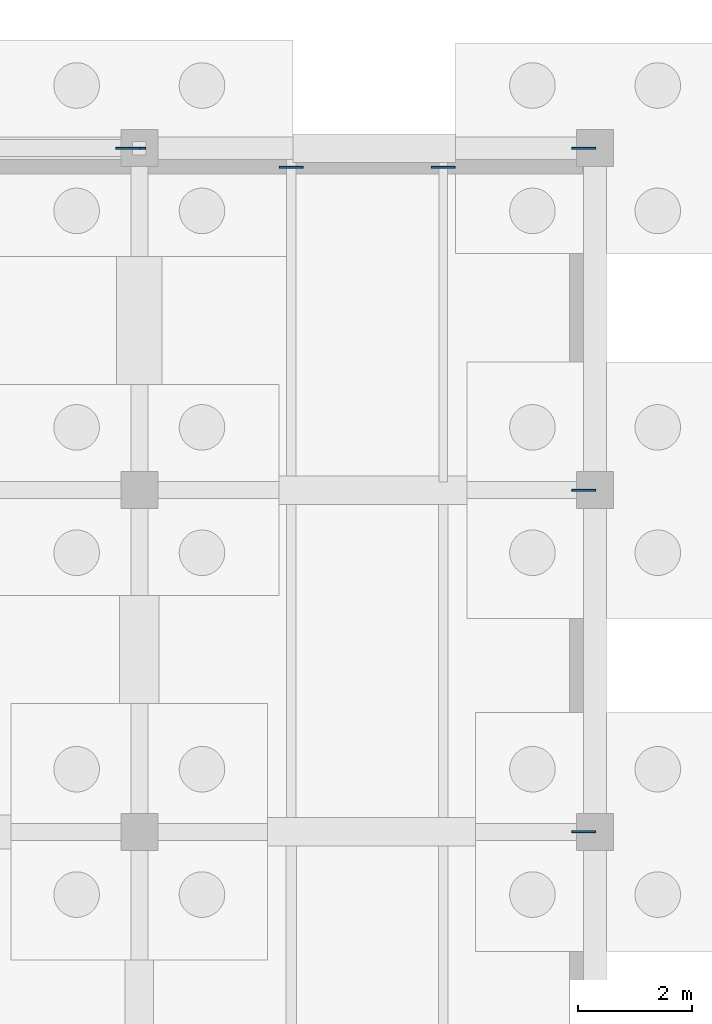
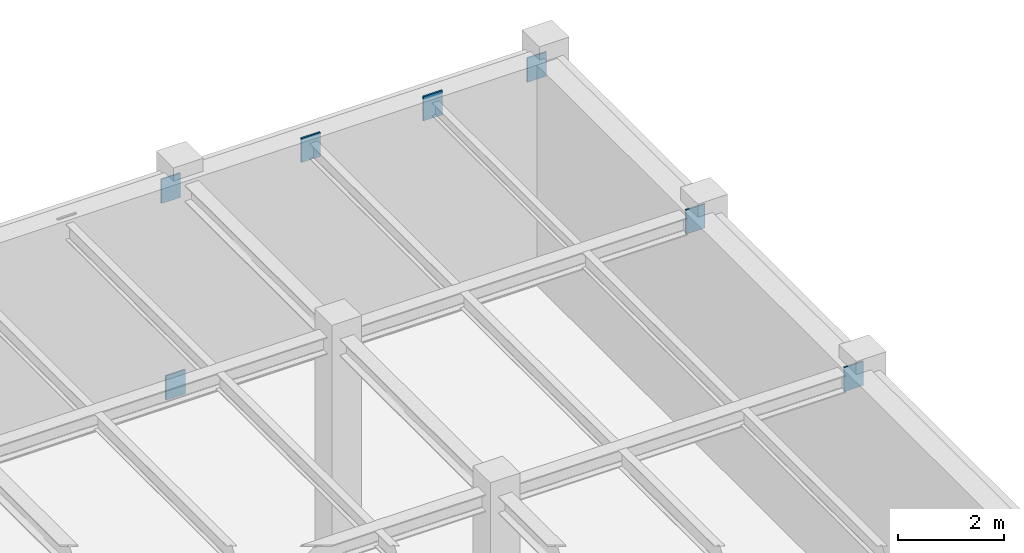
# One storey, part 52 of 71: 7 plates.
"""IFC4 building model written with IfcOpenShell, lengths in metres."""

from ifc_helpers import new_model, si_unit, direction, frame, origin, origin_2d, place, context, subcontext, project, spatial, rectangle, extrude, material, layer, layer_set, type_object, element, save


model = new_model("IFC4")

# Units and contexts
model_context = context("Model", 3, precision=1e-05, world=origin(), true_north=direction((0.0, 1.0)))
body_context = subcontext(model_context, "Body", "Model", "MODEL_VIEW")
ifc_project = project(units=[si_unit("LENGTHUNIT", "METRE"), si_unit("AREAUNIT", "SQUARE_METRE"), si_unit("VOLUMEUNIT", "CUBIC_METRE"), si_unit("PLANEANGLEUNIT", "RADIAN"), si_unit("MASSUNIT", "GRAM", prefix="KILO")], contexts=[model_context])

# Site, building, storey
site_placement = place(None, origin())
site = spatial("IfcSite", under=ifc_project, at=site_placement, CompositionType="ELEMENT")
building_placement = place(site_placement, origin())
building = spatial("IfcBuilding", under=site, at=building_placement, Name="Sundkrona Museum", CompositionType="ELEMENT")
storey_placement = place(building_placement, frame((0.0, 0.0, -5.39990234375)))
storey = spatial("IfcBuildingStorey", under=building, at=storey_placement, Name="B1", CompositionType="ELEMENT", Elevation=-5.39990234375)

# Plates
ifc_material = material(Name="Steel S355J2", Category="steel")
ifc_layer = layer(ifc_material, 0.034912109375)
ifc_layer_set = layer_set([ifc_layer], Name="Steel S355J2")
plate_type = type_object("IfcPlateType", Name="EP-1", PredefinedType="USERDEFINED", material=ifc_layer_set)
for number, where, z_axis, x_axis, name in (
    (1, (167.800048828125, 102.0, 4.544921875), (0.0, 0.0, 1.0), (1.0, 0.0, 0.0), "Structural Wall Cast-In Embed Plate BM-B1-X-0174-2"),
    (2, (167.800048828125, 108.0, 4.544921875), (0.0, 0.0, 1.0), (1.0, 0.0, 0.0), "Structural Wall Cast-In Embed Plate BM-B1-X-0192-2"),
    (3, (159.800048828125, 114.0, 4.419921875), (0.0, 0.0, 1.0), (1.0, 0.0, 0.0), "Structural Wall Cast-In Embed Plate BM-B1-X-0209-2"),
    (4, (167.800048828125, 114.0, 4.419921875), (0.0, 0.0, 1.0), (1.0, 0.0, 0.0), "Structural Wall Cast-In Embed Plate BM-B1-X-0210-2"),
    (5, (162.666748046875, 113.664306640625, 4.56494140625), (0.0, 0.0, 1.0), (1.0, 0.0, 0.0), "Structural Wall Cast-In Embed Plate JS-B1-0314-2"),
    (6, (165.333251953125, 113.664306640625, 4.594970703125), (0.0, 0.0, 1.0), (1.0, 0.0, 0.0), "Structural Wall Cast-In Embed Plate JS-B1-0315-2"),
    (7, (159.89990234375, 114.0, -0.159912109375), (0.0, 0.0, 1.0), (1.0, 0.0, 0.0), "Structural Wall Cast-In Embed Plate BR-B1-029B-1"),
):
    element("IfcPlate", number, at=place(storey_placement, frame(where, z_axis=z_axis, x_axis=x_axis)), inside=storey, type_object=plate_type, Name=name, ObjectType="GUSSET PLATE", PredefinedType="USERDEFINED", context=body_context, shape_type="SweptSolid", body=[
        extrude(rectangle(XDim=0.419921875, YDim=0.034912109375, at=origin_2d()), origin(), (0.0, 0.0, 1.0), 0.56005859375),
    ])

save(model, "model.ifc")
